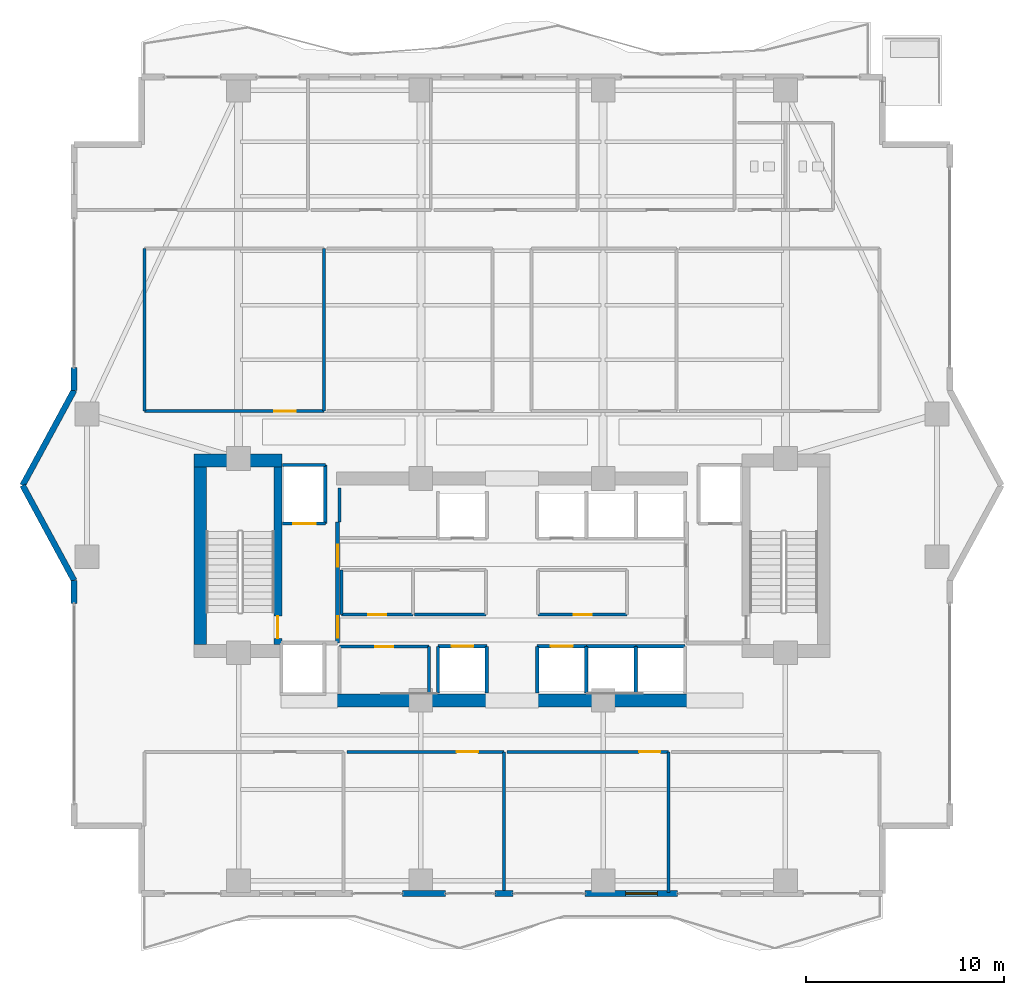
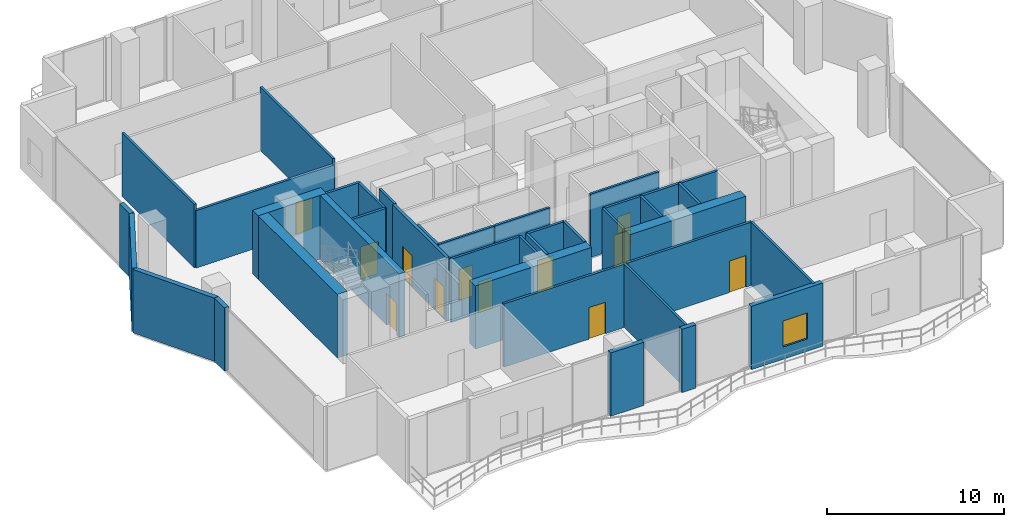
# One storey, part 24 of 31: 39 walls, 12 doors, 1 window, 13 openings.
"""IFC4 building model written with IfcOpenShell, lengths in metres."""

import ifcopenshell
import ifcopenshell.guid

model = None  # the IFC model being written
_history = None  # IfcOwnerHistory: only IFC2X3 demands one
_inside = {}  # id of a spatial element -> (the spatial element, [elements in it])
_under = {}  # id of a project, library or spatial element -> (it, [spatial elements below it])
_declared = {}  # id of a project -> (the project, [libraries it declares])
_typed = {}  # id of a type object -> (the type object, [elements of that type])
_made_of = {}  # id of a material, layer set ... -> (it, [elements and type objects made of it])


def new_model(schema):
    """Start an empty IFC model of exactly this schema.

    Asked for "IFC4X3", IfcOpenShell would pick the latest addendum, in which some entities
    have other attributes; the version numbers below select the first issue.
    IFC2X3 requires an IfcOwnerHistory on every rooted entity: one is made here for all.
    """
    global model, _history
    if schema == "IFC4X3":
        model = ifcopenshell.file(schema_version=(4, 3, 0, 0))
    else:
        model = ifcopenshell.file(schema=schema)
    _inside.clear()
    _under.clear()
    _declared.clear()
    _typed.clear()
    _made_of.clear()
    _history = None
    if model.schema == "IFC2X3":
        org = make("IfcOrganization", Name="unknown")
        user = make(
            "IfcPersonAndOrganization",
            ThePerson=make("IfcPerson", FamilyName="unknown"),
            TheOrganization=org,
        )
        app = make(
            "IfcApplication",
            ApplicationDeveloper=org,
            Version="unknown",
            ApplicationFullName="unknown",
            ApplicationIdentifier="unknown",
        )
        _history = make(
            "IfcOwnerHistory",
            OwningUser=user,
            OwningApplication=app,
            ChangeAction="ADDED",
            CreationDate=0,
        )
    return model


def make(cls, **values):
    """One entity of the class cls with the attributes given. An attribute that is None is left unset."""
    return model.create_entity(
        cls, **{name: value for name, value in values.items() if value is not None}
    )


def rooted(cls, **values):
    """An entity with a GlobalId (a new one), such as an element, a storey or a relation."""
    return make(cls, GlobalId=ifcopenshell.guid.new(), OwnerHistory=_history, **values)


def si_unit(unit_type, name, prefix=None):
    """IfcSIUnit, for example si_unit("LENGTHUNIT", "METRE", prefix="MILLI")."""
    return make("IfcSIUnit", UnitType=unit_type, Prefix=prefix, Name=name)


def assignment(units):
    """IfcUnitAssignment: the units of a project."""
    return None if units is None else make("IfcUnitAssignment", Units=units)


def point(xyz):
    """IfcCartesianPoint."""
    return None if xyz is None else make("IfcCartesianPoint", Coordinates=xyz)


def direction(xyz):
    """IfcDirection."""
    return None if xyz is None else make("IfcDirection", DirectionRatios=xyz)


def frame(location, z_axis=None, x_axis=None):
    """IfcAxis2Placement3D, a coordinate frame: its origin and axes. An axis left out is left unset."""
    return make(
        "IfcAxis2Placement3D",
        Location=point(location),
        Axis=direction(z_axis),
        RefDirection=direction(x_axis),
    )


def frame_2d(location, x_axis=None):
    """IfcAxis2Placement2D, a coordinate frame in the plane: its origin and x axis."""
    return make(
        "IfcAxis2Placement2D", Location=point(location), RefDirection=direction(x_axis)
    )


def origin():
    """The frame at (0, 0, 0) with its axes left unset."""
    return frame((0.0, 0.0, 0.0))


def place(relative_to, where):
    """IfcLocalPlacement: puts the frame where relative to a parent placement (None: the world)."""
    return make(
        "IfcLocalPlacement", PlacementRelTo=relative_to, RelativePlacement=where
    )


def context(
    kind, dimensions, precision=None, world=None, true_north=None, identifier=None
):
    """IfcGeometricRepresentationContext, for example the 3D "Model" context."""
    return make(
        "IfcGeometricRepresentationContext",
        ContextIdentifier=identifier,
        ContextType=kind,
        CoordinateSpaceDimension=dimensions,
        Precision=precision,
        WorldCoordinateSystem=world,
        TrueNorth=true_north,
    )


def subcontext(parent, identifier, kind, view, scale=None):
    """IfcGeometricRepresentationSubContext, for example "Body" below "Model"."""
    return make(
        "IfcGeometricRepresentationSubContext",
        ContextIdentifier=identifier,
        ContextType=kind,
        ParentContext=parent,
        TargetScale=scale,
        TargetView=view,
    )


def project(units=None, contexts=None):
    """IfcProject with its units and contexts."""
    return rooted(
        "IfcProject",
        Name="project",
        RepresentationContexts=contexts,
        UnitsInContext=assignment(units),
    )


def spatial(cls, under=None, at=None, **own):
    """A site, building, storey or space (cls), placed at a placement, below another one or the project."""
    s = rooted(cls, ObjectPlacement=at, **own)
    if under is not None:
        _under.setdefault(under.id(), (under, []))[1].append(s)
    return s


def profile(cls, at=None, kind="AREA", **sizes):
    """A parametric profile (cls). Its sizes go by their IFC names, for example OverallWidth=200.0."""
    return make(cls, ProfileType=kind, Position=at, **sizes)


def rectangle(**sizes):
    """IfcRectangleProfileDef."""
    return profile("IfcRectangleProfileDef", **sizes)


def extrude(swept, where, along, depth):
    """IfcExtrudedAreaSolid: the profile swept, set in the frame where, extruded along a direction by depth."""
    return make(
        "IfcExtrudedAreaSolid",
        SweptArea=swept,
        Position=where,
        ExtrudedDirection=direction(along),
        Depth=depth,
    )


def shape(context_of_items, identifier, shape_type, items):
    """IfcShapeRepresentation: the items that make up one representation, for example the "Body"."""
    return make(
        "IfcShapeRepresentation",
        ContextOfItems=context_of_items,
        RepresentationIdentifier=identifier,
        RepresentationType=shape_type,
        Items=items,
    )


def material(Name=None, Category=None):
    """IfcMaterial."""
    return make("IfcMaterial", Name=Name, Category=Category)


def layer(
    of_material, thickness, ventilated=None, Name=None, Category=None, Priority=None
):
    """IfcMaterialLayer: one layer of a wall or slab, of a material (None: an air gap)."""
    return make(
        "IfcMaterialLayer",
        Material=of_material,
        LayerThickness=thickness,
        IsVentilated=ventilated,
        Name=Name,
        Category=Category,
        Priority=Priority,
    )


def layer_set(layers, Name=None):
    """IfcMaterialLayerSet."""
    return make("IfcMaterialLayerSet", MaterialLayers=layers, LayerSetName=Name)


def made_of(thing, what):
    """Note that an element or type object is made of a material, layer set ...; save() writes the relation."""
    if what is not None:
        _made_of.setdefault(what.id(), (what, []))[1].append(thing)
    return thing


def type_object(cls, material=None, **own):
    """A type object (cls), such as IfcWallType, which elements share."""
    return made_of(rooted(cls, **own), material)


def element(
    cls,
    number,
    at=None,
    inside=None,
    cuts=None,
    type_object=None,
    material=None,
    context=None,
    identifier="Body",
    shape_type=None,
    held_by="IfcProductDefinitionShape",
    body=None,
    shapes=None,
    **own,
):
    """One element of the class cls, such as IfcWall. Its Tag is "e" and its number.

    at: its placement. inside: the storey or other place that contains it. cuts: it is an
    opening in that element (IfcRelVoidsElement). A single representation is given by context,
    identifier, shape_type and body (its items); several are given by shapes. held_by: the class
    of the entity that holds the representations. save() writes the other relations.
    """
    e = rooted(cls, Tag="e%d" % number, ObjectPlacement=at, **own)
    if body is not None:
        shapes = [shape(context, identifier, shape_type, body)]
    if shapes is not None:
        e.Representation = make(held_by, Representations=shapes)
    if inside is not None:
        _inside.setdefault(inside.id(), (inside, []))[1].append(e)
    if cuts is not None:
        rooted(
            "IfcRelVoidsElement", RelatingBuildingElement=cuts, RelatedOpeningElement=e
        )
    if type_object is not None:
        _typed.setdefault(type_object.id(), (type_object, []))[1].append(e)
    return made_of(e, material)


def fill(opening, filler):
    """IfcRelFillsElement: the door or window that sits in an opening."""
    return rooted(
        "IfcRelFillsElement",
        RelatingOpeningElement=opening,
        RelatedBuildingElement=filler,
    )


def aggregate(whole, parts):
    """IfcRelAggregates: a whole, such as a stair, and the parts it consists of."""
    return rooted("IfcRelAggregates", RelatingObject=whole, RelatedObjects=parts)


def save(model, path):
    """Write the relations noted so far, then the file.

    IfcRelAggregates (storeys below a building ...), IfcRelContainedInSpatialStructure (elements
    in a storey), IfcRelDefinesByType, IfcRelAssociatesMaterial and IfcRelDeclares: one each for
    every whole, place, type object, material and project.
    """
    for whole, parts in _under.values():
        aggregate(whole, parts)
    for where, things in _inside.values():
        rooted(
            "IfcRelContainedInSpatialStructure",
            RelatedElements=things,
            RelatingStructure=where,
        )
    for kind, things in _typed.values():
        rooted("IfcRelDefinesByType", RelatedObjects=things, RelatingType=kind)
    for what, things in _made_of.values():
        rooted("IfcRelAssociatesMaterial", RelatedObjects=things, RelatingMaterial=what)
    for by, libraries in _declared.values():
        rooted("IfcRelDeclares", RelatingContext=by, RelatedDefinitions=libraries)
    model.write(path)


model = new_model("IFC4")

# Units and contexts
model_context = context("Model", 3, precision=1e-05, world=origin(), true_north=direction((0.0, 1.0)))
body_context = subcontext(model_context, "Body", "Model", "MODEL_VIEW")
ifc_project = project(units=[si_unit("LENGTHUNIT", "METRE"), si_unit("AREAUNIT", "SQUARE_METRE"), si_unit("VOLUMEUNIT", "CUBIC_METRE"), si_unit("PLANEANGLEUNIT", "RADIAN"), si_unit("MASSUNIT", "GRAM", prefix="KILO")], contexts=[model_context])

# Site, building, storey
site_placement = place(None, origin())
site = spatial("IfcSite", under=ifc_project, at=site_placement, CompositionType="ELEMENT")
building_placement = place(site_placement, origin())
building = spatial("IfcBuilding", under=site, at=building_placement, Name="Zuhayl Quay Hotel", CompositionType="ELEMENT")
storey_placement = place(building_placement, frame((0.0, 0.0, 172.800048828125)))
storey = spatial("IfcBuildingStorey", under=building, at=storey_placement, Name="L43", CompositionType="ELEMENT", Elevation=172.800048828125)

# Walls
ifc_material_1 = material(Name="Concrete C50/60", Category="concrete")
ifc_layer_1 = layer(ifc_material_1, 0.64990234375, Name="Concrete C50/60", Category="concrete")
ifc_layer_set_1 = layer_set([ifc_layer_1], Name="Concrete C50/60")
wall_type_1 = type_object("IfcWallType", Name="WL_CORE_650", PredefinedType="SHEAR", material=ifc_layer_set_1)
wall_1_placement = place(storey_placement, frame((-16.06005859375, 14.2548828125, 0.0), z_axis=(0.0, 0.0, 1.0), x_axis=(1.0, 0.0, 0.0)))
element("IfcWall", 1, at=wall_1_placement, inside=storey, type_object=wall_type_1, Name="L43 Core Shear Wall CW_NW", PredefinedType="SHEAR", context=body_context, shape_type="SweptSolid", body=[
    extrude(rectangle(XDim=4.4599609375, YDim=0.64990234375, at=frame_2d((2.22998046875, 0.0))), origin(), (0.0, 0.0, 1.0), 4.409912109375),
])
wall_2_placement = place(storey_placement, frame((-15.735107421875, 4.969970703125, 0.0), z_axis=(0.0, 0.0, 1.0), x_axis=(0.0, 1.0, 0.0)))
element("IfcWall", 2, at=wall_2_placement, inside=storey, type_object=wall_type_1, Name="L43 Core Shear Wall CW_W", PredefinedType="SHEAR", context=body_context, shape_type="SweptSolid", body=[
    extrude(rectangle(XDim=8.9599609375, YDim=0.64990234375, at=frame_2d((4.47998046875, 0.0))), origin(), (0.0, 0.0, 1.0), 4.409912109375),
])
for number, where, z_axis, x_axis, name in (
    (3, (-8.85009765625, 2.14990234375, 0.0), (0.0, 0.0, 1.0), (1.0, 0.0, 0.0), "L43 Core Shear Wall CW_SC_W"),
    (4, (1.25, 2.14990234375, 0.0), (0.0, 0.0, 1.0), (1.0, 0.0, 0.0), "L43 Core Shear Wall CW_SC_E"),
):
    element("IfcWall", number, at=place(storey_placement, frame(where, z_axis=z_axis, x_axis=x_axis)), inside=storey, type_object=wall_type_1, Name=name, PredefinedType="SHEAR", context=body_context, shape_type="SweptSolid", body=[
        extrude(rectangle(XDim=7.60009765625, YDim=0.64990234375, at=frame_2d((3.800048828125, 0.0))), origin(), (0.0, 0.0, 1.0), 4.3798828125),
    ])
ifc_material_2 = material(Name="Precast concrete C45/55", Category="concrete")
ifc_layer_2 = layer(ifc_material_2, 0.300048828125, Name="Precast concrete C45/55", Category="concrete")
ifc_layer_set_2 = layer_set([ifc_layer_2], Name="Precast concrete C45/55")
wall_type_2 = type_object("IfcWallType", Name="WL_EXT_300", PredefinedType="STANDARD", material=ifc_layer_set_2)
wall_3_placement = place(storey_placement, frame((-22.10009765625, 7.050048828125, 0.0), z_axis=(0.0, 0.0, 1.0), x_axis=(0.0, 1.0, 0.0)))
element("IfcWall", 5, at=wall_3_placement, inside=storey, type_object=wall_type_2, Name="L43 Exterior Precast Wall ENV_L43_E02_EW2", PredefinedType="STANDARD", context=body_context, shape_type="SweptSolid", body=[
    extrude(rectangle(XDim=1.14990234375, YDim=0.300048828125, at=frame_2d((0.574951171875, 0.0))), origin(), (0.0, 0.0, 1.0), 4.3798828125),
])
for number, where, z_axis, x_axis, name in (
    (6, (-22.10009765625, 8.199951171875, 0.0), (0.0, 0.0, 1.0), (-0.476258655584, 0.879305233114, 0.0), "L43 Exterior Precast Wall ENV_L43_EW03"),
    (7, (-24.699951171875, 13.0, 0.0), (0.0, 0.0, 1.0), (0.476258655584, 0.879305233114, 0.0), "L43 Exterior Precast Wall ENV_L43_EW04"),
):
    element("IfcWall", number, at=place(storey_placement, frame(where, z_axis=z_axis, x_axis=x_axis)), inside=storey, type_object=wall_type_2, Name=name, PredefinedType="STANDARD", context=body_context, shape_type="SweptSolid", body=[
        extrude(rectangle(XDim=5.458984375, YDim=0.300048828125, at=frame_2d((2.7294921875, 0.0))), origin(), (0.0, 0.0, 1.0), 4.3798828125),
    ])
wall_4_placement = place(storey_placement, frame((-22.10009765625, 17.800048828125, 0.0), z_axis=(0.0, 0.0, 1.0), x_axis=(0.0, 1.0, 0.0)))
element("IfcWall", 8, at=wall_4_placement, inside=storey, type_object=wall_type_2, Name="L43 Exterior Precast Wall ENV_L43_E05_EW1", PredefinedType="STANDARD", context=body_context, shape_type="SweptSolid", body=[
    extrude(rectangle(XDim=1.14990234375, YDim=0.300048828125, at=frame_2d((0.574951171875, 0.0))), origin(), (0.0, 0.0, 1.0), 4.3798828125),
])

# Wall, opening, window
wall_5_placement = place(storey_placement, frame((8.35009765625, -7.60009765625, 0.0), z_axis=(0.0, 0.0, 1.0), x_axis=(-1.0, 0.0, 0.0)))
wall_5 = element("IfcWall", 9, at=wall_5_placement, inside=storey, type_object=wall_type_2, Name="L43 Exterior Precast Wall ENV_L43_S_EW3", PredefinedType="STANDARD", context=body_context, shape_type="SweptSolid", body=[
    extrude(rectangle(XDim=4.670166015625, YDim=0.300048828125, at=frame_2d((2.3349609375, 0.0))), origin(), (0.0, 0.0, 1.0), 4.3798828125),
])
opening_1_placement = place(wall_5_placement, frame((1.010009765625, 0.0, 0.85009765625)))
opening_1 = element("IfcOpeningElement", 10, at=opening_1_placement, cuts=wall_5, Name="Opening W01", PredefinedType="OPENING", context=body_context, shape_type="SweptSolid", body=[
    extrude(rectangle(XDim=1.60009765625, YDim=1.800048828125, at=frame_2d((0.800048828125, 0.89990234375))), frame((0.0, 0.159912109375, 0.0), z_axis=(0.0, -1.0, 0.0), x_axis=(1.0, 0.0, 0.0)), (0.0, 0.0, 1.0), 0.320068359375),
])
ifc_material_3 = material(Name="Dark Ceramic-Fritted Solar Glass", Category="glass")
window_type = type_object("IfcWindowType", Name="WN_OPERABLE_1600", PartitioningType="DOUBLE_PANEL_VERTICAL", PredefinedType="WINDOW", material=ifc_material_3)
window_placement = place(opening_1_placement, origin())
window = element("IfcWindow", 11, at=window_placement, inside=storey, type_object=window_type, Name="L43 Operable Facade Window 3-1", OverallHeight=1.800048828125, OverallWidth=1.60009765625, PartitioningType="SINGLE_PANEL", PredefinedType="WINDOW", context=body_context, shape_type="SweptSolid", body=[
    extrude(rectangle(XDim=1.60009765625, YDim=1.800048828125, at=frame_2d((0.800048828125, 0.89990234375))), frame((0.0, 0.030029296875, 0.0), z_axis=(0.0, -1.0, 0.0), x_axis=(1.0, 0.0, 0.0)), (0.0, 0.0, 1.0), 0.06005859375),
])
fill(opening_1, window)

# Walls
wall_6_placement = place(storey_placement, frame((0.050048828125, -7.60009765625, 0.0), z_axis=(0.0, 0.0, 1.0), x_axis=(-1.0, 0.0, 0.0)))
element("IfcWall", 12, at=wall_6_placement, inside=storey, type_object=wall_type_2, Name="L43 Exterior Precast Wall ENV_L43_S_EW4", PredefinedType="STANDARD", context=body_context, shape_type="SweptSolid", body=[
    extrude(rectangle(XDim=0.900146484375, YDim=0.300048828125, at=frame_2d((0.4501953125, 0.0))), origin(), (0.0, 0.0, 1.0), 4.3798828125),
])
wall_7_placement = place(storey_placement, frame((-3.35009765625, -7.60009765625, 0.0), z_axis=(0.0, 0.0, 1.0), x_axis=(-1.0, 0.0, 0.0)))
element("IfcWall", 13, at=wall_7_placement, inside=storey, type_object=wall_type_2, Name="L43 Exterior Precast Wall ENV_L43_S_EW5", PredefinedType="STANDARD", context=body_context, shape_type="SweptSolid", body=[
    extrude(rectangle(XDim=2.169921875, YDim=0.300048828125, at=frame_2d((1.0849609375, 0.0))), origin(), (0.0, 0.0, 1.0), 4.3798828125),
])

# Wall, opening, door
ifc_material_4 = material(Name="Acoustic Gypsum Partition STC-58")
ifc_layer_3 = layer(ifc_material_4, 0.14990234375, Name="Acoustic Gypsum Partition STC-58")
ifc_layer_set_3 = layer_set([ifc_layer_3], Name="Acoustic Gypsum Partition STC-58")
wall_type_3 = type_object("IfcWallType", Name="WL_PART_150", PredefinedType="PARTITIONING", material=ifc_layer_set_3)
wall_8_placement = place(storey_placement, frame((-8.7099609375, 4.860107421875, 0.0), z_axis=(0.0, 0.0, 1.0), x_axis=(1.0, 0.0, 0.0)))
wall_8 = element("IfcWall", 14, at=wall_8_placement, inside=storey, type_object=wall_type_3, Name="L43 Partition IW_L43_FLP_S_N", PredefinedType="PARTITIONING", context=body_context, shape_type="SweptSolid", body=[
    extrude(rectangle(XDim=4.52001953125, YDim=0.14990234375, at=frame_2d((2.260009765625, 0.0))), origin(), (0.0, 0.0, 1.0), 4.3798828125),
])
opening_2_placement = place(wall_8_placement, frame((1.81005859375, 0.0, 0.0)))
opening_2 = element("IfcOpeningElement", 15, at=opening_2_placement, cuts=wall_8, Name="Opening D06", PredefinedType="OPENING", context=body_context, shape_type="SweptSolid", body=[
    extrude(rectangle(XDim=0.89990234375, YDim=2.14990234375, at=frame_2d((0.449951171875, 1.074951171875))), frame((0.0, 0.0849609375, 0.0), z_axis=(0.0, -1.0, 0.0), x_axis=(1.0, 0.0, 0.0)), (0.0, 0.0, 1.0), 0.169921875),
])
ifc_material_5 = material(Name="Steel ASTM A992 Grade 50", Category="steel")
door_type_1 = type_object("IfcDoorType", Name="DR_INT_900", OperationType="NOTDEFINED", PredefinedType="DOOR", material=ifc_material_5)
door_1_placement = place(opening_2_placement, origin())
door_1 = element("IfcDoor", 16, at=door_1_placement, inside=storey, type_object=door_type_1, Name="L43 Sommelier Closet Door", OperationType="SINGLE_SWING_LEFT", OverallHeight=2.14990234375, OverallWidth=0.89990234375, PredefinedType="DOOR", context=body_context, shape_type="SweptSolid", body=[
    extrude(rectangle(XDim=0.89990234375, YDim=2.14990234375, at=frame_2d((0.449951171875, 1.074951171875))), frame((0.0, 0.02490234375, 0.0), z_axis=(0.0, -1.0, 0.0), x_axis=(1.0, 0.0, 0.0)), (0.0, 0.0, 1.0), 0.050048828125),
])
fill(opening_2, door_1)

wall_9_placement = place(storey_placement, frame((-8.610107421875, 6.47998046875, 0.0), z_axis=(0.0, 0.0, 1.0), x_axis=(1.0, 0.0, 0.0)))
wall_9 = element("IfcWall", 17, at=wall_9_placement, inside=storey, type_object=wall_type_3, Name="L43 Partition IW_L43_CORE_SW_S", PredefinedType="PARTITIONING", context=body_context, shape_type="SweptSolid", body=[
    extrude(rectangle(XDim=3.6201171875, YDim=0.14990234375, at=frame_2d((1.81005859375, 0.0))), origin(), (0.0, 0.0, 1.0), 4.3798828125),
])
opening_3_placement = place(wall_9_placement, frame((1.360107421875, 0.0, 0.0)))
opening_3 = element("IfcOpeningElement", 18, at=opening_3_placement, cuts=wall_9, Name="Opening D06", PredefinedType="OPENING", context=body_context, shape_type="SweptSolid", body=[
    extrude(rectangle(XDim=0.89990234375, YDim=2.14990234375, at=frame_2d((0.449951171875, 1.074951171875))), frame((0.0, 0.0849609375, 0.0), z_axis=(0.0, -1.0, 0.0), x_axis=(1.0, 0.0, 0.0)), (0.0, 0.0, 1.0), 0.169921875),
])
door_2_placement = place(opening_3_placement, origin())
door_2 = element("IfcDoor", 19, at=door_2_placement, inside=storey, type_object=door_type_1, Name="L43 Floor Switchgear Closet Door", OperationType="SINGLE_SWING_LEFT", OverallHeight=2.14990234375, OverallWidth=0.89990234375, PredefinedType="DOOR", context=body_context, shape_type="SweptSolid", body=[
    extrude(rectangle(XDim=0.89990234375, YDim=2.14990234375, at=frame_2d((0.449951171875, 1.074951171875))), frame((0.0, 0.02490234375, 0.0), z_axis=(0.0, -1.0, 0.0), x_axis=(1.0, 0.0, 0.0)), (0.0, 0.0, 1.0), 0.050048828125),
])
fill(opening_3, door_2)

wall_10_placement = place(storey_placement, frame((1.320068359375, 6.47998046875, 0.0), z_axis=(0.0, 0.0, 1.0), x_axis=(1.0, 0.0, 0.0)))
wall_10 = element("IfcWall", 20, at=wall_10_placement, inside=storey, type_object=wall_type_3, Name="L43 Partition IW_L43_CORE_PN_S", PredefinedType="PARTITIONING", context=body_context, shape_type="SweptSolid", body=[
    extrude(rectangle(XDim=4.489990234375, YDim=0.14990234375, at=frame_2d((2.2451171875, 0.0))), origin(), (0.0, 0.0, 1.0), 4.3798828125),
])
opening_4_placement = place(wall_10_placement, frame((1.794921875, 0.0, 0.0)))
opening_4 = element("IfcOpeningElement", 21, at=opening_4_placement, cuts=wall_10, Name="Opening D06", PredefinedType="OPENING", context=body_context, shape_type="SweptSolid", body=[
    extrude(rectangle(XDim=0.89990234375, YDim=2.14990234375, at=frame_2d((0.449951171875, 1.074951171875))), frame((0.0, 0.0849609375, 0.0), z_axis=(0.0, -1.0, 0.0), x_axis=(1.0, 0.0, 0.0)), (0.0, 0.0, 1.0), 0.169921875),
])
door_3_placement = place(opening_4_placement, origin())
door_3 = element("IfcDoor", 22, at=door_3_placement, inside=storey, type_object=door_type_1, Name="L43 Core Ice and Pantry Room Door", OperationType="SINGLE_SWING_LEFT", OverallHeight=2.14990234375, OverallWidth=0.89990234375, PredefinedType="DOOR", context=body_context, shape_type="SweptSolid", body=[
    extrude(rectangle(XDim=0.89990234375, YDim=2.14990234375, at=frame_2d((0.449951171875, 1.074951171875))), frame((0.0, 0.02490234375, 0.0), z_axis=(0.0, -1.0, 0.0), x_axis=(1.0, 0.0, 0.0)), (0.0, 0.0, 1.0), 0.050048828125),
])
fill(opening_4, door_3)

# Walls
wall_11_placement = place(storey_placement, frame((-4.18994140625, 2.489990234375, 0.0), z_axis=(0.0, 0.0, 1.0), x_axis=(0.0, 1.0, 0.0)))
element("IfcWall", 23, at=wall_11_placement, inside=storey, type_object=wall_type_3, Name="L43 Partition IW_L43_FLP_S_E", PredefinedType="PARTITIONING", context=body_context, shape_type="SweptSolid", body=[
    extrude(rectangle(XDim=2.3701171875, YDim=0.14990234375, at=frame_2d((1.18505859375, 0.0))), origin(), (0.0, 0.0, 1.0), 4.3798828125),
])
wall_12_placement = place(storey_placement, frame((-8.7099609375, 11.14990234375, 0.0), z_axis=(0.0, 0.0, 1.0), x_axis=(0.0, 1.0, 0.0)))
element("IfcWall", 24, at=wall_12_placement, inside=storey, type_object=wall_type_3, Name="L43 Partition IW_L43_FLP_N_W", PredefinedType="PARTITIONING", context=body_context, shape_type="SweptSolid", body=[
    extrude(rectangle(XDim=1.710205078125, YDim=0.14990234375, at=frame_2d((0.85498046875, 0.0))), origin(), (0.0, 0.0, 1.0), 4.3798828125),
])
wall_13_placement = place(storey_placement, frame((-8.610107421875, 6.47998046875, 0.0), z_axis=(0.0, 0.0, 1.0), x_axis=(0.0, 1.0, 0.0)))
element("IfcWall", 25, at=wall_13_placement, inside=storey, type_object=wall_type_3, Name="L43 Partition IW_L43_CORE_SW_W", PredefinedType="PARTITIONING", context=body_context, shape_type="SweptSolid", body=[
    extrude(rectangle(XDim=2.239990234375, YDim=0.14990234375, at=frame_2d((1.1201171875, 0.0))), origin(), (0.0, 0.0, 1.0), 4.3798828125),
])
wall_14_placement = place(storey_placement, frame((-4.929931640625, 6.47998046875, 0.0), z_axis=(0.0, 0.0, 1.0), x_axis=(1.0, 0.0, 0.0)))
element("IfcWall", 26, at=wall_14_placement, inside=storey, type_object=wall_type_3, Name="L43 Partition IW_L43_CORE_BM_S", PredefinedType="PARTITIONING", context=body_context, shape_type="SweptSolid", body=[
    extrude(rectangle(XDim=3.60986328125, YDim=0.14990234375, at=frame_2d((1.804931640625, 0.0))), origin(), (0.0, 0.0, 1.0), 4.3798828125),
])
for number, where, z_axis, x_axis, name in (
    (27, (-18.550048828125, 16.75, 0.0), (0.0, 0.0, 1.0), (0.0, 1.0, 0.0), "L43 Partition IW_L43_GYM_W1_W"),
    (28, (-9.5, 16.75, 0.0), (0.0, 0.0, 1.0), (0.0, 1.0, 0.0), "L43 Partition IW_L43_GYM_W1_E"),
):
    element("IfcWall", number, at=place(storey_placement, frame(where, z_axis=z_axis, x_axis=x_axis)), inside=storey, type_object=wall_type_3, Name=name, PredefinedType="PARTITIONING", context=body_context, shape_type="SweptSolid", body=[
        extrude(rectangle(XDim=8.199951171875, YDim=0.14990234375, at=frame_2d((4.10009765625, 0.0))), origin(), (0.0, 0.0, 1.0), 4.3798828125),
    ])
for number, where, z_axis, x_axis, name in (
    (29, (-0.39990234375, -7.5400390625, 0.0), (0.0, 0.0, 1.0), (0.0, 1.0, 0.0), "L43 Partition IW_L43_THERM_2_E"),
    (30, (7.89990234375, -7.5400390625, 0.0), (0.0, 0.0, 1.0), (0.0, 1.0, 0.0), "L43 Partition IW_L43_LOCKER_43_E"),
):
    element("IfcWall", number, at=place(storey_placement, frame(where, z_axis=z_axis, x_axis=x_axis)), inside=storey, type_object=wall_type_3, Name=name, PredefinedType="PARTITIONING", context=body_context, shape_type="SweptSolid", body=[
        extrude(rectangle(XDim=7.090087890625, YDim=0.14990234375, at=frame_2d((3.544921875, 0.0))), origin(), (0.0, 0.0, 1.0), 4.3798828125),
    ])

# Wall, opening, door
ifc_layer_4 = layer(ifc_material_4, 0.159912109375, Name="Acoustic Gypsum Partition STC-58")
ifc_layer_set_4 = layer_set([ifc_layer_4], Name="Acoustic Gypsum Partition STC-58")
wall_type_4 = type_object("IfcWallType", Name="WL_PART_CORR_160", PredefinedType="PARTITIONING", material=ifc_layer_set_4)
wall_15_placement = place(storey_placement, frame((-18.550048828125, 16.75, 0.0), z_axis=(0.0, 0.0, 1.0), x_axis=(1.0, 0.0, 0.0)))
wall_15 = element("IfcWall", 31, at=wall_15_placement, inside=storey, type_object=wall_type_4, Name="L43 Partition IW_L43_GYM_W1_S", PredefinedType="PARTITIONING", context=body_context, shape_type="SweptSolid", body=[
    extrude(rectangle(XDim=9.050048828125, YDim=0.159912109375, at=frame_2d((4.52490234375, 0.0))), origin(), (0.0, 0.0, 1.0), 3.973876953125),
])
opening_5_placement = place(wall_15_placement, frame((6.56005859375, 0.0, 0.0)))
opening_5 = element("IfcOpeningElement", 32, at=opening_5_placement, cuts=wall_15, Name="Opening D05A", PredefinedType="OPENING", context=body_context, shape_type="SweptSolid", body=[
    extrude(rectangle(XDim=1.080078125, YDim=2.179931640625, at=frame_2d((0.5400390625, 1.08984375))), frame((0.0, 0.08984375, 0.0), z_axis=(0.0, -1.0, 0.0), x_axis=(1.0, 0.0, 0.0)), (0.0, 0.0, 1.0), 0.179931640625),
])
ifc_material_6 = material(Name="Solid Walnut Acoustic Fire Door")
door_type_2 = type_object("IfcDoorType", Name="DR_INT_1100", OperationType="NOTDEFINED", PredefinedType="DOOR", material=ifc_material_6)
door_4_placement = place(opening_5_placement, origin())
door_4 = element("IfcDoor", 33, at=door_4_placement, inside=storey, type_object=door_type_2, Name="L43 Cardio Training Studio Door", OperationType="SINGLE_SWING_RIGHT", OverallHeight=2.179931640625, OverallWidth=1.080078125, PredefinedType="DOOR", context=body_context, shape_type="SweptSolid", body=[
    extrude(rectangle(XDim=1.080078125, YDim=2.179931640625, at=frame_2d((0.5400390625, 1.08984375))), frame((0.0, 0.02490234375, 0.0), z_axis=(0.0, -1.0, 0.0), x_axis=(1.0, 0.0, 0.0)), (0.0, 0.0, 1.0), 0.050048828125),
])
fill(opening_5, door_4)

wall_16_placement = place(storey_placement, frame((-8.340087890625, -0.449951171875, 0.0), z_axis=(0.0, 0.0, 1.0), x_axis=(1.0, 0.0, 0.0)))
wall_16 = element("IfcWall", 34, at=wall_16_placement, inside=storey, type_object=wall_type_4, Name="L43 Partition IW_L43_THERM_2_N", PredefinedType="PARTITIONING", context=body_context, shape_type="SweptSolid", body=[
    extrude(rectangle(XDim=7.940185546875, YDim=0.159912109375, at=frame_2d((3.97021484375, 0.0))), origin(), (0.0, 0.0, 1.0), 4.3798828125),
])
opening_6_placement = place(wall_16_placement, frame((5.550048828125, 0.0, 0.0)))
opening_6 = element("IfcOpeningElement", 35, at=opening_6_placement, cuts=wall_16, Name="Opening D05A", PredefinedType="OPENING", context=body_context, shape_type="SweptSolid", body=[
    extrude(rectangle(XDim=1.080078125, YDim=2.179931640625, at=frame_2d((0.5400390625, 1.08984375))), frame((0.0, 0.08984375, 0.0), z_axis=(0.0, -1.0, 0.0), x_axis=(1.0, 0.0, 0.0)), (0.0, 0.0, 1.0), 0.179931640625),
])
door_5_placement = place(opening_6_placement, origin())
door_5 = element("IfcDoor", 36, at=door_5_placement, inside=storey, type_object=door_type_2, Name="L43 Vitality Sauna Salon Door", OperationType="SINGLE_SWING_LEFT", OverallHeight=2.179931640625, OverallWidth=1.080078125, PredefinedType="DOOR", context=body_context, shape_type="SweptSolid", body=[
    extrude(rectangle(XDim=1.080078125, YDim=2.179931640625, at=frame_2d((0.5400390625, 1.08984375))), frame((0.0, 0.02490234375, 0.0), z_axis=(0.0, -1.0, 0.0), x_axis=(1.0, 0.0, 0.0)), (0.0, 0.0, 1.0), 0.050048828125),
])
fill(opening_6, door_5)

wall_17_placement = place(storey_placement, frame((-0.239990234375, -0.449951171875, 0.0), z_axis=(0.0, 0.0, 1.0), x_axis=(1.0, 0.0, 0.0)))
wall_17 = element("IfcWall", 37, at=wall_17_placement, inside=storey, type_object=wall_type_4, Name="L43 Partition IW_L43_LOCKER_43_N", PredefinedType="PARTITIONING", context=body_context, shape_type="SweptSolid", body=[
    extrude(rectangle(XDim=8.139892578125, YDim=0.159912109375, at=frame_2d((4.06982421875, 0.0))), origin(), (0.0, 0.0, 1.0), 4.3798828125),
])
opening_7_placement = place(wall_17_placement, frame((6.64990234375, 0.0, 0.0)))
opening_7 = element("IfcOpeningElement", 38, at=opening_7_placement, cuts=wall_17, Name="Opening D05A", PredefinedType="OPENING", context=body_context, shape_type="SweptSolid", body=[
    extrude(rectangle(XDim=1.080078125, YDim=2.179931640625, at=frame_2d((0.5400390625, 1.08984375))), frame((0.0, 0.08984375, 0.0), z_axis=(0.0, -1.0, 0.0), x_axis=(1.0, 0.0, 0.0)), (0.0, 0.0, 1.0), 0.179931640625),
])
door_6_placement = place(opening_7_placement, origin())
door_6 = element("IfcDoor", 39, at=door_6_placement, inside=storey, type_object=door_type_2, Name="L43 Wellness Changing Closet Door", OperationType="SINGLE_SWING_RIGHT", OverallHeight=2.179931640625, OverallWidth=1.080078125, PredefinedType="DOOR", context=body_context, shape_type="SweptSolid", body=[
    extrude(rectangle(XDim=1.080078125, YDim=2.179931640625, at=frame_2d((0.5400390625, 1.08984375))), frame((0.0, 0.02490234375, 0.0), z_axis=(0.0, -1.0, 0.0), x_axis=(1.0, 0.0, 0.0)), (0.0, 0.0, 1.0), 0.050048828125),
])
fill(opening_7, door_6)

ifc_material_7 = material(Name="Gypsum Fireboard Assembly EI-90")
ifc_layer_5 = layer(ifc_material_7, 0.1650390625, Name="Gypsum Fireboard Assembly EI-90")
ifc_layer_set_5 = layer_set([ifc_layer_5], Name="Gypsum Fireboard Assembly EI-90")
wall_type_5 = type_object("IfcWallType", Name="WL_PART_SHAFT_160", PredefinedType="PARTITIONING", material=ifc_layer_set_5)
wall_18_placement = place(storey_placement, frame((-11.580078125, 11.070068359375, 0.0), z_axis=(0.0, 0.0, 1.0), x_axis=(1.0, 0.0, 0.0)))
wall_18 = element("IfcWall", 40, at=wall_18_placement, inside=storey, type_object=wall_type_5, Name="L43 Partition IW_L43_SH_FL1_F", PredefinedType="PARTITIONING", context=body_context, shape_type="SweptSolid", body=[
    extrude(rectangle(XDim=2.16015625, YDim=0.1650390625, at=frame_2d((1.080078125, 0.0))), origin(), (0.0, 0.0, 1.0), 4.3798828125),
])
opening_8_placement = place(wall_18_placement, frame((0.530029296875, 0.0, 0.0)))
opening_8 = element("IfcOpeningElement", 41, at=opening_8_placement, cuts=wall_18, Name="Opening LD2", PredefinedType="OPENING", context=body_context, shape_type="SweptSolid", body=[
    extrude(rectangle(XDim=1.14990234375, YDim=2.25, at=frame_2d((0.574951171875, 1.125))), frame((0.0, 0.092529296875, 0.0), z_axis=(0.0, -1.0, 0.0), x_axis=(1.0, 0.0, 0.0)), (0.0, 0.0, 1.0), 0.18505859375),
])
ifc_material_8 = material(Name="Brushed Stainless Steel", Category="steel")
door_type_3 = type_object("IfcDoorType", Name="DR_LIFT_FF_1100", OperationType="SLIDING_TO_LEFT", PredefinedType="DOOR", material=ifc_material_8)
door_7_placement = place(opening_8_placement, origin())
door_7 = element("IfcDoor", 42, at=door_7_placement, inside=storey, type_object=door_type_3, Name="L43 Lift FL1 Sliding Landing Door", OperationType="SLIDING_TO_LEFT", OverallHeight=2.25, OverallWidth=1.14990234375, PredefinedType="DOOR", context=body_context, shape_type="SweptSolid", body=[
    extrude(rectangle(XDim=1.14990234375, YDim=2.25, at=frame_2d((0.574951171875, 1.125))), frame((0.0, 0.02490234375, 0.0), z_axis=(0.0, -1.0, 0.0), x_axis=(1.0, 0.0, 0.0)), (0.0, 0.0, 1.0), 0.050048828125),
])
fill(opening_8, door_7)

wall_19_placement = place(storey_placement, frame((-3.72998046875, 4.8798828125, 0.0), z_axis=(0.0, 0.0, 1.0), x_axis=(1.0, 0.0, 0.0)))
wall_19 = element("IfcWall", 43, at=wall_19_placement, inside=storey, type_object=wall_type_5, Name="L43 Partition IW_L43_SH_MP1_F", PredefinedType="PARTITIONING", context=body_context, shape_type="SweptSolid", body=[
    extrude(rectangle(XDim=2.4599609375, YDim=0.1650390625, at=frame_2d((1.22998046875, 0.0))), origin(), (0.0, 0.0, 1.0), 4.3798828125),
])
opening_9_placement = place(wall_19_placement, frame((0.679931640625, 0.0, 0.0)))
opening_9 = element("IfcOpeningElement", 44, at=opening_9_placement, cuts=wall_19, Name="Opening LD1", PredefinedType="OPENING", context=body_context, shape_type="SweptSolid", body=[
    extrude(rectangle(XDim=1.10009765625, YDim=2.25, at=frame_2d((0.550048828125, 1.125))), frame((0.0, 0.092529296875, 0.0), z_axis=(0.0, -1.0, 0.0), x_axis=(1.0, 0.0, 0.0)), (0.0, 0.0, 1.0), 0.18505859375),
])
door_type_4 = type_object("IfcDoorType", Name="DR_LIFT_PASS_1100", OperationType="SLIDING_TO_LEFT", PredefinedType="DOOR", material=ifc_material_8)
door_8_placement = place(opening_9_placement, origin())
door_8 = element("IfcDoor", 45, at=door_8_placement, inside=storey, type_object=door_type_4, Name="L43 Lift MP1 Sliding Landing Door", OperationType="SLIDING_TO_LEFT", OverallHeight=2.25, OverallWidth=1.10009765625, PredefinedType="DOOR", context=body_context, shape_type="SweptSolid", body=[
    extrude(rectangle(XDim=1.10009765625, YDim=2.25, at=frame_2d((0.550048828125, 1.125))), frame((0.0, 0.02490234375, 0.0), z_axis=(0.0, -1.0, 0.0), x_axis=(1.0, 0.0, 0.0)), (0.0, 0.0, 1.0), 0.050048828125),
])
fill(opening_9, door_8)

wall_20_placement = place(storey_placement, frame((1.27001953125, 4.8798828125, 0.0), z_axis=(0.0, 0.0, 1.0), x_axis=(1.0, 0.0, 0.0)))
wall_20 = element("IfcWall", 46, at=wall_20_placement, inside=storey, type_object=wall_type_5, Name="L43 Partition IW_L43_SH_MP2_F", PredefinedType="PARTITIONING", context=body_context, shape_type="SweptSolid", body=[
    extrude(rectangle(XDim=2.47998046875, YDim=0.1650390625, at=frame_2d((1.239990234375, 0.0))), origin(), (0.0, 0.0, 1.0), 4.3798828125),
])
opening_10_placement = place(wall_20_placement, frame((0.68994140625, 0.0, 0.0)))
opening_10 = element("IfcOpeningElement", 47, at=opening_10_placement, cuts=wall_20, Name="Opening LD1", PredefinedType="OPENING", context=body_context, shape_type="SweptSolid", body=[
    extrude(rectangle(XDim=1.10009765625, YDim=2.25, at=frame_2d((0.550048828125, 1.125))), frame((0.0, 0.092529296875, 0.0), z_axis=(0.0, -1.0, 0.0), x_axis=(1.0, 0.0, 0.0)), (0.0, 0.0, 1.0), 0.18505859375),
])
door_9_placement = place(opening_10_placement, origin())
door_9 = element("IfcDoor", 48, at=door_9_placement, inside=storey, type_object=door_type_4, Name="L43 Lift MP2 Sliding Landing Door", OperationType="SLIDING_TO_LEFT", OverallHeight=2.25, OverallWidth=1.10009765625, PredefinedType="DOOR", context=body_context, shape_type="SweptSolid", body=[
    extrude(rectangle(XDim=1.10009765625, YDim=2.25, at=frame_2d((0.550048828125, 1.125))), frame((0.0, 0.02490234375, 0.0), z_axis=(0.0, -1.0, 0.0), x_axis=(1.0, 0.0, 0.0)), (0.0, 0.0, 1.0), 0.050048828125),
])
fill(opening_10, door_9)

# Walls
wall_21_placement = place(storey_placement, frame((-9.419921875, 11.070068359375, 0.0), z_axis=(0.0, 0.0, 1.0), x_axis=(0.0, 1.0, 0.0)))
element("IfcWall", 49, at=wall_21_placement, inside=storey, type_object=wall_type_5, Name="L43 Partition IW_L43_SH_FL1_E", PredefinedType="PARTITIONING", context=body_context, shape_type="SweptSolid", body=[
    extrude(rectangle(XDim=2.9599609375, YDim=0.1650390625, at=frame_2d((1.47998046875, 0.0))), origin(), (0.0, 0.0, 1.0), 4.3798828125),
])
wall_22_placement = place(storey_placement, frame((-11.580078125, 14.030029296875, 0.0), z_axis=(0.0, 0.0, 1.0), x_axis=(1.0, 0.0, 0.0)))
element("IfcWall", 50, at=wall_22_placement, inside=storey, type_object=wall_type_5, Name="L43 Partition IW_L43_SH_FL1_B", PredefinedType="PARTITIONING", context=body_context, shape_type="SweptSolid", body=[
    extrude(rectangle(XDim=2.16015625, YDim=0.1650390625, at=frame_2d((1.080078125, 0.0))), origin(), (0.0, 0.0, 1.0), 4.3798828125),
])
for number, where, z_axis, x_axis, name in (
    (51, (-3.72998046875, 2.52001953125, 0.0), (0.0, 0.0, 1.0), (0.0, 1.0, 0.0), "L43 Partition IW_L43_SH_MP1_W"),
    (52, (-1.27001953125, 2.52001953125, 0.0), (0.0, 0.0, 1.0), (0.0, 1.0, 0.0), "L43 Partition IW_L43_SH_MP1_E"),
    (53, (1.27001953125, 2.52001953125, 0.0), (0.0, 0.0, 1.0), (0.0, 1.0, 0.0), "L43 Partition IW_L43_SH_MP2_W"),
    (54, (3.75, 2.52001953125, 0.0), (0.0, 0.0, 1.0), (0.0, 1.0, 0.0), "L43 Partition IW_L43_SH_MP2_E"),
):
    element("IfcWall", number, at=place(storey_placement, frame(where, z_axis=z_axis, x_axis=x_axis)), inside=storey, type_object=wall_type_5, Name=name, PredefinedType="PARTITIONING", context=body_context, shape_type="SweptSolid", body=[
        extrude(rectangle(XDim=2.35986328125, YDim=0.1650390625, at=frame_2d((1.179931640625, 0.0))), origin(), (0.0, 0.0, 1.0), 4.3798828125),
    ])
wall_23_placement = place(storey_placement, frame((3.75, 4.8798828125, 0.0), z_axis=(0.0, 0.0, 1.0), x_axis=(1.0, 0.0, 0.0)))
element("IfcWall", 55, at=wall_23_placement, inside=storey, type_object=wall_type_5, Name="L43 Partition IW_L43_SH_HP1_F", PredefinedType="PARTITIONING", context=body_context, shape_type="SweptSolid", body=[
    extrude(rectangle(XDim=2.5, YDim=0.1650390625, at=frame_2d((1.25, 0.0))), origin(), (0.0, 0.0, 1.0), 4.3798828125),
])
wall_24_placement = place(storey_placement, frame((6.25, 2.52001953125, 0.0), z_axis=(0.0, 0.0, 1.0), x_axis=(0.0, 1.0, 0.0)))
element("IfcWall", 56, at=wall_24_placement, inside=storey, type_object=wall_type_5, Name="L43 Partition IW_L43_SH_HP1_E", PredefinedType="PARTITIONING", context=body_context, shape_type="SweptSolid", body=[
    extrude(rectangle(XDim=2.35986328125, YDim=0.1650390625, at=frame_2d((1.179931640625, 0.0))), origin(), (0.0, 0.0, 1.0), 4.3798828125),
])
wall_25_placement = place(storey_placement, frame((6.25, 4.8798828125, 0.0), z_axis=(0.0, 0.0, 1.0), x_axis=(1.0, 0.0, 0.0)))
element("IfcWall", 57, at=wall_25_placement, inside=storey, type_object=wall_type_5, Name="L43 Partition IW_L43_SH_HP2_F", PredefinedType="PARTITIONING", context=body_context, shape_type="SweptSolid", body=[
    extrude(rectangle(XDim=2.47998046875, YDim=0.1650390625, at=frame_2d((1.239990234375, 0.0))), origin(), (0.0, 0.0, 1.0), 4.3798828125),
])

# Wall, openings, doors
ifc_material_9 = material(Name="Gypsum Fireboard Assembly EI-120")
ifc_layer_6 = layer(ifc_material_9, 0.199951171875, Name="Gypsum Fireboard Assembly EI-120")
ifc_layer_set_6 = layer_set([ifc_layer_6], Name="Gypsum Fireboard Assembly EI-120")
wall_type_6 = type_object("IfcWallType", Name="WL_PART_SHAFT_200", PredefinedType="PARTITIONING", material=ifc_layer_set_6)
wall_26_placement = place(storey_placement, frame((-8.800048828125, 5.050048828125, 0.0), z_axis=(0.0, 0.0, 1.0), x_axis=(0.0, 1.0, 0.0)))
wall_26 = element("IfcWall", 58, at=wall_26_placement, inside=storey, type_object=wall_type_6, Name="L43 Partition IW_L43_FSAE_W_E", PredefinedType="PARTITIONING", context=body_context, shape_type="SweptSolid", body=[
    extrude(rectangle(XDim=6.099853515625, YDim=0.199951171875, at=frame_2d((3.0498046875, 0.0))), origin(), (0.0, 0.0, 1.0), 4.3798828125),
])
opening_11_placement = place(wall_26_placement, frame((0.25, 0.0, 0.0)))
opening_11 = element("IfcOpeningElement", 59, at=opening_11_placement, cuts=wall_26, Name="Opening D02", PredefinedType="OPENING", context=body_context, shape_type="SweptSolid", body=[
    extrude(rectangle(XDim=1.10009765625, YDim=2.199951171875, at=frame_2d((0.550048828125, 1.10009765625))), frame((0.0, 0.10986328125, 0.0), z_axis=(0.0, -1.0, 0.0), x_axis=(1.0, 0.0, 0.0)), (0.0, 0.0, 1.0), 0.219970703125),
])
opening_12_placement = place(wall_26_placement, frame((3.85009765625, 0.0, 0.0)))
opening_12 = element("IfcOpeningElement", 60, at=opening_12_placement, cuts=wall_26, Name="Opening D02", PredefinedType="OPENING", context=body_context, shape_type="SweptSolid", body=[
    extrude(rectangle(XDim=1.10009765625, YDim=2.199951171875, at=frame_2d((0.550048828125, 1.10009765625))), frame((0.0, 0.10986328125, 0.0), z_axis=(0.0, -1.0, 0.0), x_axis=(1.0, 0.0, 0.0)), (0.0, 0.0, 1.0), 0.219970703125),
])
door_type_5 = type_object("IfcDoorType", Name="DR_FIRE_90_1100", OperationType="NOTDEFINED", PredefinedType="DOOR", material=ifc_material_5)
door_10_placement = place(opening_11_placement, origin())
door_10 = element("IfcDoor", 61, at=door_10_placement, inside=storey, type_object=door_type_5, Name="L43 FSAE Lobby West South Entry Door", OperationType="SINGLE_SWING_LEFT", OverallHeight=2.199951171875, OverallWidth=1.10009765625, PredefinedType="DOOR", context=body_context, shape_type="SweptSolid", body=[
    extrude(rectangle(XDim=1.10009765625, YDim=2.199951171875, at=frame_2d((0.550048828125, 1.10009765625))), frame((0.0, 0.02490234375, 0.0), z_axis=(0.0, -1.0, 0.0), x_axis=(1.0, 0.0, 0.0)), (0.0, 0.0, 1.0), 0.050048828125),
])
fill(opening_11, door_10)
door_11_placement = place(opening_12_placement, origin())
door_11 = element("IfcDoor", 62, at=door_11_placement, inside=storey, type_object=door_type_5, Name="L43 FSAE Lobby West North Entry Door", OperationType="SINGLE_SWING_RIGHT", OverallHeight=2.199951171875, OverallWidth=1.10009765625, PredefinedType="DOOR", context=body_context, shape_type="SweptSolid", body=[
    extrude(rectangle(XDim=1.10009765625, YDim=2.199951171875, at=frame_2d((0.550048828125, 1.10009765625))), frame((0.0, 0.02490234375, 0.0), z_axis=(0.0, -1.0, 0.0), x_axis=(1.0, 0.0, 0.0)), (0.0, 0.0, 1.0), 0.050048828125),
])
fill(opening_12, door_11)

# Wall, opening, door
ifc_material_10 = material(Name="Concrete C60/75", Category="concrete")
ifc_layer_7 = layer(ifc_material_10, 0.39990234375, Name="Concrete C60/75", Category="concrete")
ifc_layer_set_7 = layer_set([ifc_layer_7], Name="Concrete C60/75")
wall_type_7 = type_object("IfcWallType", Name="WL_STAIR_400", PredefinedType="SHEAR", material=ifc_layer_set_7)
wall_27_placement = place(storey_placement, frame((-11.820068359375, 4.969970703125, 0.0), z_axis=(0.0, 0.0, 1.0), x_axis=(0.0, 1.0, 0.0)))
wall_27 = element("IfcWall", 63, at=wall_27_placement, inside=storey, type_object=wall_type_7, Name="L43 Core Shear Wall SW_ST1", PredefinedType="SHEAR", context=body_context, shape_type="SweptSolid", body=[
    extrude(rectangle(XDim=8.9599609375, YDim=0.39990234375, at=frame_2d((4.47998046875, 0.0))), origin(), (0.0, 0.0, 1.0), 4.409912109375),
])
opening_13_placement = place(wall_27_placement, frame((0.31005859375, 0.0, 0.0)))
opening_13 = element("IfcOpeningElement", 64, at=opening_13_placement, cuts=wall_27, Name="Opening D01", PredefinedType="OPENING", context=body_context, shape_type="SweptSolid", body=[
    extrude(rectangle(XDim=1.1201171875, YDim=2.219970703125, at=frame_2d((0.56005859375, 1.10986328125))), frame((0.0, 0.2099609375, 0.0), z_axis=(0.0, -1.0, 0.0), x_axis=(1.0, 0.0, 0.0)), (0.0, 0.0, 1.0), 0.419921875),
])
door_type_6 = type_object("IfcDoorType", Name="DR_STAIR_90_1100", OperationType="NOTDEFINED", PredefinedType="DOOR", material=ifc_material_5)
door_12_placement = place(opening_13_placement, origin())
door_12 = element("IfcDoor", 65, at=door_12_placement, inside=storey, type_object=door_type_6, Name="L43 Smokeproof Exit Stair ST1 Door", OperationType="SINGLE_SWING_LEFT", OverallHeight=2.219970703125, OverallWidth=1.1201171875, PredefinedType="DOOR", context=body_context, shape_type="SweptSolid", body=[
    extrude(rectangle(XDim=1.1201171875, YDim=2.219970703125, at=frame_2d((0.56005859375, 1.10986328125))), frame((0.0, 0.02490234375, 0.0), z_axis=(0.0, -1.0, 0.0), x_axis=(1.0, 0.0, 0.0)), (0.0, 0.0, 1.0), 0.050048828125),
])
fill(opening_13, door_12)

save(model, "model.ifc")
